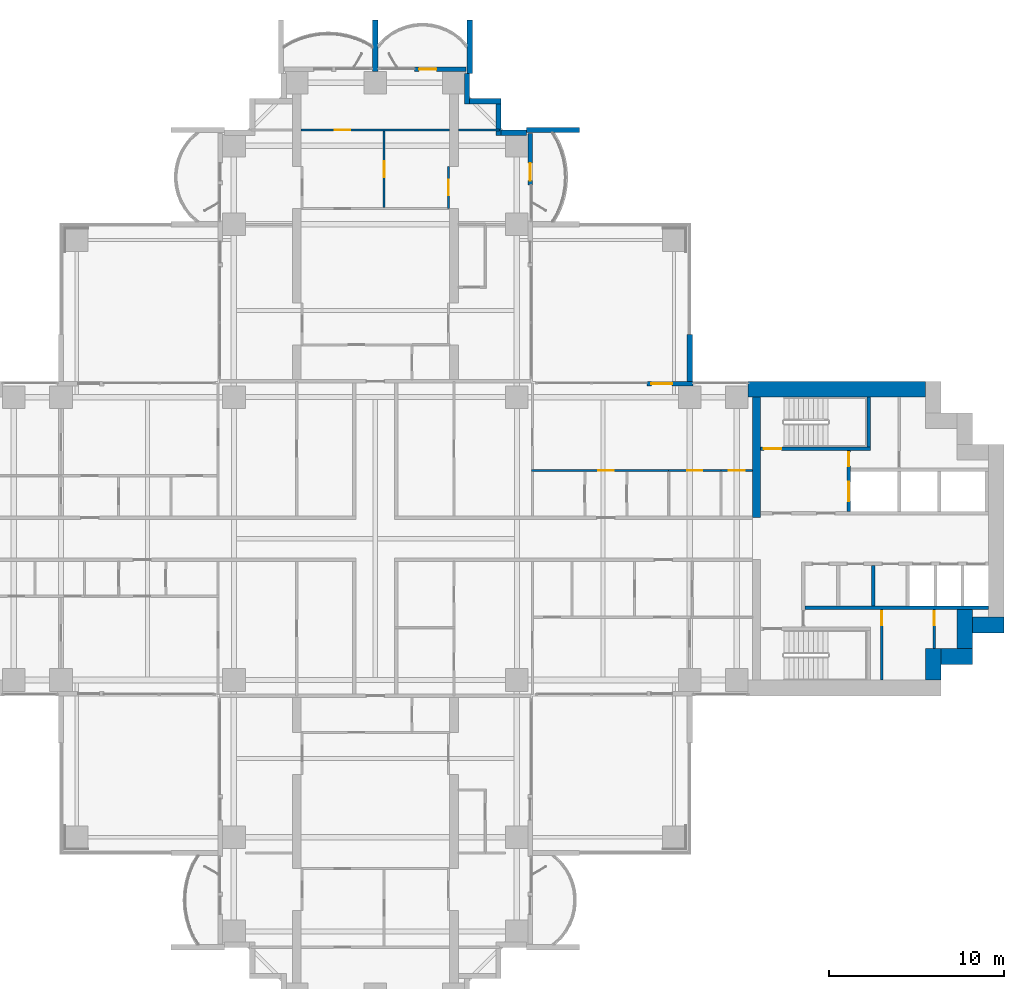
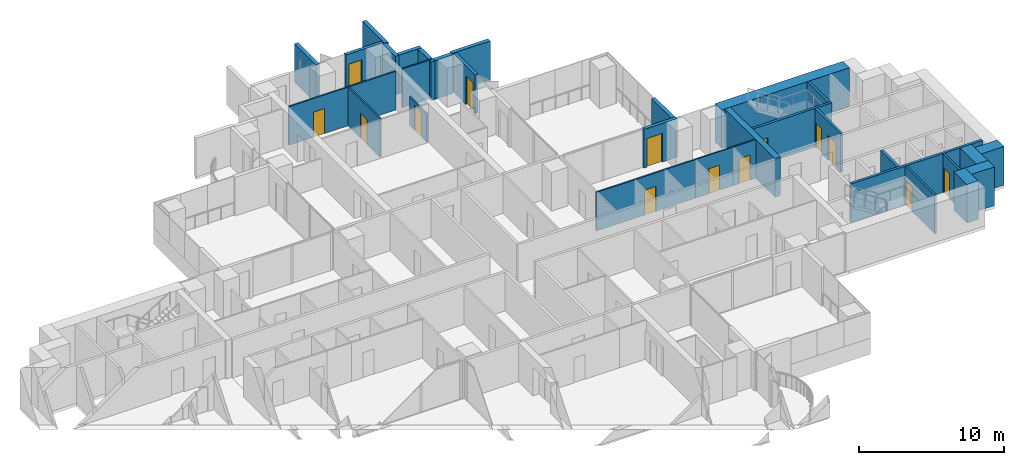
# One storey, part 15 of 20: 31 walls, 14 doors, 14 openings.
"""IFC4 building model written with IfcOpenShell, lengths in metres."""

from ifc_helpers import new_model, si_unit, direction, frame, frame_2d, origin, place, context, subcontext, project, spatial, rectangle, extrude, material, layer, layer_set, type_object, element, fill, save


model = new_model("IFC4")

# Units and contexts
model_context = context("Model", 3, precision=1e-05, world=origin(), true_north=direction((0.0, 1.0)))
body_context = subcontext(model_context, "Body", "Model", "MODEL_VIEW")
ifc_project = project(units=[si_unit("LENGTHUNIT", "METRE"), si_unit("AREAUNIT", "SQUARE_METRE"), si_unit("VOLUMEUNIT", "CUBIC_METRE"), si_unit("PLANEANGLEUNIT", "RADIAN"), si_unit("MASSUNIT", "GRAM", prefix="KILO")], contexts=[model_context])

# Site, building, storey
site_placement = place(None, origin())
site = spatial("IfcSite", under=ifc_project, at=site_placement, CompositionType="ELEMENT")
building_placement = place(site_placement, origin())
building = spatial("IfcBuilding", under=site, at=building_placement, Name="Perihelion Cross Residences", CompositionType="ELEMENT")
storey_placement = place(building_placement, frame((0.0, 0.0, 82.0)))
storey = spatial("IfcBuildingStorey", under=building, at=storey_placement, Name="L18", CompositionType="ELEMENT", Elevation=82.0)

# Wall, opening, door
ifc_material_1 = material(Name="Concrete C30/37, bronze-clad", Category="concrete")
ifc_layer_1 = layer(ifc_material_1, 0.25)
ifc_layer_set_1 = layer_set([ifc_layer_1], Name="Bronze-clad pier wall 250")
wall_type_1 = type_object("IfcWallType", Name="Bronze-clad pier wall 250", PredefinedType="SOLIDWALL", material=ifc_layer_set_1)
wall_1_placement = place(storey_placement, frame((18.199951171875, 8.875, 0.0), z_axis=(0.0, 0.0, 1.0), x_axis=(-1.0, 0.0, 0.0)))
wall_1 = element("IfcWall", 1, at=wall_1_placement, inside=storey, type_object=wall_type_1, Name="Wall FW1 L18 east side north bay 2 pier", PredefinedType="SOLIDWALL", context=body_context, shape_type="SweptSolid", body=[
    extrude(rectangle(XDim=2.64990234375, YDim=0.25, at=frame_2d((1.324951171875, 0.0))), origin(), (0.0, 0.0, 1.0), 3.25),
])
opening_1_placement = place(wall_1_placement, frame((1.199951171875, 0.0, 0.0)))
opening_1 = element("IfcOpeningElement", 2, at=opening_1_placement, cuts=wall_1, Name="Opening L18.E01", PredefinedType="OPENING", context=body_context, shape_type="SweptSolid", body=[
    extrude(rectangle(XDim=1.199951171875, YDim=2.39990234375, at=frame_2d((0.60009765625, 1.199951171875))), frame((0.0, 0.135009765625, 0.0), z_axis=(0.0, -1.0, 0.0), x_axis=(1.0, 0.0, 0.0)), (0.0, 0.0, 1.0), 0.27001953125),
])
ifc_material_2 = material(Name="Bronze anodised aluminium, glazed", Category="aluminium")
door_type_1 = type_object("IfcDoorType", Name="Balcony door 1200 x 2400", OperationType="NOTDEFINED", PredefinedType="DOOR", material=ifc_material_2)
door_1_placement = place(opening_1_placement, origin())
door_1 = element("IfcDoor", 3, at=door_1_placement, inside=storey, type_object=door_type_1, Name="Door L18.E01 east side north bay 2", OperationType="SINGLE_SWING_RIGHT", OverallHeight=2.39990234375, OverallWidth=1.199951171875, PredefinedType="DOOR", context=body_context, shape_type="SweptSolid", body=[
    extrude(rectangle(XDim=1.199951171875, YDim=2.39990234375, at=frame_2d((0.60009765625, 1.199951171875))), frame((0.0, 0.02490234375, 0.0), z_axis=(0.0, -1.0, 0.0), x_axis=(1.0, 0.0, 0.0)), (0.0, 0.0, 1.0), 0.050048828125),
])
fill(opening_1, door_1)

wall_2_placement = place(storey_placement, frame((8.875, 20.25, 0.0), z_axis=(0.0, 0.0, 1.0), x_axis=(0.0, 1.0, 0.0)))
wall_2 = element("IfcWall", 4, at=wall_2_placement, inside=storey, type_object=wall_type_1, Name="Wall FW1 L18 north side east bay 2 pier", PredefinedType="SOLIDWALL", context=body_context, shape_type="SweptSolid", body=[
    extrude(rectangle(XDim=2.949951171875, YDim=0.25, at=frame_2d((1.47509765625, 0.0))), origin(), (0.0, 0.0, 1.0), 3.25),
])
opening_2_placement = place(wall_2_placement, frame((0.25, 0.0, 0.0)))
opening_2 = element("IfcOpeningElement", 5, at=opening_2_placement, cuts=wall_2, Name="Opening L18.E03", PredefinedType="OPENING", context=body_context, shape_type="SweptSolid", body=[
    extrude(rectangle(XDim=1.0, YDim=2.39990234375, at=frame_2d((0.5, 1.199951171875))), frame((0.0, 0.135009765625, 0.0), z_axis=(0.0, -1.0, 0.0), x_axis=(1.0, 0.0, 0.0)), (0.0, 0.0, 1.0), 0.27001953125),
])
ifc_material_3 = material(Name="Bronze anodised aluminium, glazed", Category="aluminium")
door_type_2 = type_object("IfcDoorType", Name="Balcony door 1000 x 2400", OperationType="NOTDEFINED", PredefinedType="DOOR", material=ifc_material_3)
door_2_placement = place(opening_2_placement, origin())
door_2 = element("IfcDoor", 6, at=door_2_placement, inside=storey, type_object=door_type_2, Name="Door L18.E03 north side east bay 2", OperationType="SINGLE_SWING_RIGHT", OverallHeight=2.39990234375, OverallWidth=1.0, PredefinedType="DOOR", context=body_context, shape_type="SweptSolid", body=[
    extrude(rectangle(XDim=1.0, YDim=2.39990234375, at=frame_2d((0.5, 1.199951171875))), frame((0.0, 0.02490234375, 0.0), z_axis=(0.0, -1.0, 0.0), x_axis=(1.0, 0.0, 0.0)), (0.0, 0.0, 1.0), 0.050048828125),
])
fill(opening_2, door_2)

wall_3_placement = place(storey_placement, frame((5.199951171875, 26.875, 0.0), z_axis=(0.0, 0.0, 1.0), x_axis=(-1.0, 0.0, 0.0)))
wall_3 = element("IfcWall", 7, at=wall_3_placement, inside=storey, type_object=wall_type_1, Name="Wall FW1 L18 north tip north bay 1 pier", PredefinedType="SOLIDWALL", context=body_context, shape_type="SweptSolid", body=[
    extrude(rectangle(XDim=2.949951171875, YDim=0.25, at=frame_2d((1.47509765625, 0.0))), origin(), (0.0, 0.0, 1.0), 3.25),
])
opening_3_placement = place(wall_3_placement, frame((1.699951171875, 0.0, 0.0)))
opening_3 = element("IfcOpeningElement", 8, at=opening_3_placement, cuts=wall_3, Name="Opening L18.E04", PredefinedType="OPENING", context=body_context, shape_type="SweptSolid", body=[
    extrude(rectangle(XDim=1.0, YDim=2.39990234375, at=frame_2d((0.5, 1.199951171875))), frame((0.0, 0.135009765625, 0.0), z_axis=(0.0, -1.0, 0.0), x_axis=(1.0, 0.0, 0.0)), (0.0, 0.0, 1.0), 0.27001953125),
])
door_3_placement = place(opening_3_placement, origin())
door_3 = element("IfcDoor", 9, at=door_3_placement, inside=storey, type_object=door_type_2, Name="Door L18.E04 north tip north bay 1", OperationType="SINGLE_SWING_LEFT", OverallHeight=2.39990234375, OverallWidth=1.0, PredefinedType="DOOR", context=body_context, shape_type="SweptSolid", body=[
    extrude(rectangle(XDim=1.0, YDim=2.39990234375, at=frame_2d((0.5, 1.199951171875))), frame((0.0, 0.02490234375, 0.0), z_axis=(0.0, -1.0, 0.0), x_axis=(1.0, 0.0, 0.0)), (0.0, 0.0, 1.0), 0.050048828125),
])
fill(opening_3, door_3)

# Walls
ifc_material_4 = material(Name="Concrete C30/37, bronze-clad", Category="concrete")
ifc_layer_2 = layer(ifc_material_4, 0.300048828125)
ifc_layer_set_2 = layer_set([ifc_layer_2], Name="Bronze-clad serration wall 300")
wall_type_2 = type_object("IfcWallType", Name="Bronze-clad serration wall 300", PredefinedType="SOLIDWALL", material=ifc_layer_set_2)
wall_4_placement = place(storey_placement, frame((8.64990234375, 23.25, 0.0), z_axis=(0.0, 0.0, 1.0), x_axis=(-1.0, 0.0, 0.0)))
element("IfcWall", 10, at=wall_4_placement, inside=storey, type_object=wall_type_2, Name="Wall SR1 L18 north corner north-east 1", PredefinedType="SOLIDWALL", context=body_context, shape_type="SweptSolid", body=[
    extrude(rectangle(XDim=1.449951171875, YDim=0.300048828125, at=frame_2d((0.72509765625, 0.0))), origin(), (0.0, 0.0, 1.0), 3.25),
])
wall_5_placement = place(storey_placement, frame((7.050048828125, 23.10009765625, 0.0), z_axis=(0.0, 0.0, 1.0), x_axis=(0.0, 1.0, 0.0)))
element("IfcWall", 11, at=wall_5_placement, inside=storey, type_object=wall_type_2, Name="Wall SR1 L18 north corner north-east 2", PredefinedType="SOLIDWALL", context=body_context, shape_type="SweptSolid", body=[
    extrude(rectangle(XDim=1.7998046875, YDim=0.300048828125, at=frame_2d((0.89990234375, 0.0))), origin(), (0.0, 0.0, 1.0), 3.25),
])
wall_6_placement = place(storey_placement, frame((7.199951171875, 25.050048828125, 0.0), z_axis=(0.0, 0.0, 1.0), x_axis=(-1.0, 0.0, 0.0)))
element("IfcWall", 12, at=wall_6_placement, inside=storey, type_object=wall_type_2, Name="Wall SR1 L18 north corner north-east 3", PredefinedType="SOLIDWALL", context=body_context, shape_type="SweptSolid", body=[
    extrude(rectangle(XDim=1.800048828125, YDim=0.300048828125, at=frame_2d((0.89990234375, 0.0))), origin(), (0.0, 0.0, 1.0), 3.25),
])
wall_7_placement = place(storey_placement, frame((5.25, 24.89990234375, 0.0), z_axis=(0.0, 0.0, 1.0), x_axis=(0.0, 1.0, 0.0)))
element("IfcWall", 13, at=wall_7_placement, inside=storey, type_object=wall_type_2, Name="Wall SR1 L18 north corner north-east 4", PredefinedType="SOLIDWALL", context=body_context, shape_type="SweptSolid", body=[
    extrude(rectangle(XDim=1.75, YDim=0.300048828125, at=frame_2d((0.875, 0.0))), origin(), (0.0, 0.0, 1.0), 3.25),
])
ifc_material_5 = material(Name="Concrete C60/75", Category="concrete")
ifc_layer_3 = layer(ifc_material_5, 0.449951171875)
ifc_layer_set_3 = layer_set([ifc_layer_3], Name="Core wall, inner 450")
wall_type_3 = type_object("IfcWallType", Name="Core wall, inner 450", PredefinedType="SHEAR", material=ifc_layer_set_3)
wall_8_placement = place(storey_placement, frame((21.824951171875, 1.199951171875, 0.0), z_axis=(0.0, 0.0, 1.0), x_axis=(0.0, 1.0, 0.0)))
element("IfcWall", 14, at=wall_8_placement, inside=storey, type_object=wall_type_3, Name="East core core wall, inner", PredefinedType="SHEAR", context=body_context, shape_type="SweptSolid", body=[
    extrude(rectangle(XDim=6.900146484375, YDim=0.449951171875, at=frame_2d((3.4501953125, 0.0))), origin(), (0.0, 0.0, 1.0), 3.25),
])
ifc_material_6 = material(Name="Concrete C60/75", Category="concrete")
ifc_layer_4 = layer(ifc_material_6, 0.89990234375)
ifc_layer_set_4 = layer_set([ifc_layer_4], Name="Core wall, outer 900")
wall_type_4 = type_object("IfcWallType", Name="Core wall, outer 900", PredefinedType="SHEAR", material=ifc_layer_set_4)
for number, where, z_axis, x_axis, name in (
    (15, (31.949951171875, -8.10009765625, 0.0), (0.0, 0.0, 1.0), (0.0, 1.0, 0.0), "East core core wall, outer"),
    (16, (32.39990234375, -6.75, 0.0), (0.0, 0.0, 1.0), (1.0, 0.0, 0.0), "East core core wall, outer"),
):
    element("IfcWall", number, at=place(storey_placement, frame(where, z_axis=z_axis, x_axis=x_axis)), inside=storey, type_object=wall_type_4, Name=name, PredefinedType="SHEAR", context=body_context, shape_type="SweptSolid", body=[
        extrude(rectangle(XDim=1.800048828125, YDim=0.89990234375, at=frame_2d((0.89990234375, 0.0))), origin(), (0.0, 0.0, 1.0), 3.25),
    ])
wall_9_placement = place(storey_placement, frame((33.75, -6.300048828125, 0.0), z_axis=(0.0, 0.0, 1.0), x_axis=(0.0, 1.0, 0.0)))
element("IfcWall", 17, at=wall_9_placement, inside=storey, type_object=wall_type_4, Name="East core core wall, outer", PredefinedType="SHEAR", context=body_context, shape_type="SweptSolid", body=[
    extrude(rectangle(XDim=2.25, YDim=0.89990234375, at=frame_2d((1.125, 0.0))), origin(), (0.0, 0.0, 1.0), 3.25),
])
wall_10_placement = place(storey_placement, frame((34.199951171875, -4.949951171875, 0.0), z_axis=(0.0, 0.0, 1.0), x_axis=(1.0, 0.0, 0.0)))
element("IfcWall", 18, at=wall_10_placement, inside=storey, type_object=wall_type_4, Name="East core core wall, outer", PredefinedType="SHEAR", context=body_context, shape_type="SweptSolid", body=[
    extrude(rectangle(XDim=1.800048828125, YDim=0.89990234375, at=frame_2d((0.89990234375, 0.0))), origin(), (0.0, 0.0, 1.0), 3.25),
])
wall_11_placement = place(storey_placement, frame((21.35009765625, 8.550048828125, 0.0), z_axis=(0.0, 0.0, 1.0), x_axis=(1.0, 0.0, 0.0)))
element("IfcWall", 19, at=wall_11_placement, inside=storey, type_object=wall_type_4, Name="East core core wall, outer", PredefinedType="SHEAR", context=body_context, shape_type="SweptSolid", body=[
    extrude(rectangle(XDim=10.14990234375, YDim=0.89990234375, at=frame_2d((5.074951171875, 0.0))), origin(), (0.0, 0.0, 1.0), 3.25),
])

# Wall, opening, door
ifc_material_7 = material(Name="Plasterboard partition")
ifc_layer_5 = layer(ifc_material_7, 0.1201171875)
ifc_layer_set_5 = layer_set([ifc_layer_5], Name="Infill panel 120")
wall_type_5 = type_object("IfcWallType", Name="Infill panel 120", PredefinedType="PARTITIONING", material=ifc_layer_set_5)
wall_12_placement = place(storey_placement, frame((4.18994140625, 18.89990234375, 0.0), z_axis=(0.0, 0.0, 1.0), x_axis=(0.0, 1.0, 0.0)))
wall_12 = element("IfcWall", 20, at=wall_12_placement, inside=storey, type_object=wall_type_5, Name="Partition L18 WI02", PredefinedType="PARTITIONING", context=body_context, shape_type="SweptSolid", body=[
    extrude(rectangle(XDim=2.400146484375, YDim=0.1201171875, at=frame_2d((1.2001953125, 0.0))), origin(), (0.0, 0.0, 1.0), 2.39990234375),
])
opening_4_placement = place(wall_12_placement, frame((0.75, 0.0, 0.0)))
opening_4 = element("IfcOpeningElement", 21, at=opening_4_placement, cuts=wall_12, Name="Opening L18.A50", PredefinedType="OPENING", context=body_context, shape_type="SweptSolid", body=[
    extrude(rectangle(XDim=0.89990234375, YDim=2.10009765625, at=frame_2d((0.449951171875, 1.050048828125))), frame((0.0, 0.070068359375, 0.0), z_axis=(0.0, -1.0, 0.0), x_axis=(1.0, 0.0, 0.0)), (0.0, 0.0, 1.0), 0.14013671875),
])
ifc_material_8 = material(Name="Timber door leaf", Category="wood")
door_type_3 = type_object("IfcDoorType", Name="Interior room door 900 x 2100", OperationType="SINGLE_SWING_LEFT", PredefinedType="DOOR", material=ifc_material_8)
door_4_placement = place(opening_4_placement, origin())
door_4 = element("IfcDoor", 22, at=door_4_placement, inside=storey, type_object=door_type_3, Name="Door L18.A50", OperationType="SINGLE_SWING_RIGHT", OverallHeight=2.10009765625, OverallWidth=0.89990234375, PredefinedType="DOOR", context=body_context, shape_type="SweptSolid", body=[
    extrude(rectangle(XDim=0.89990234375, YDim=2.10009765625, at=frame_2d((0.449951171875, 1.050048828125))), frame((0.0, 0.02490234375, 0.0), z_axis=(0.0, -1.0, 0.0), x_axis=(1.0, 0.0, 0.0)), (0.0, 0.0, 1.0), 0.050048828125),
])
fill(opening_4, door_4)

ifc_material_9 = material(Name="Plasterboard partition")
ifc_layer_6 = layer(ifc_material_9, 0.1201171875)
ifc_layer_set_6 = layer_set([ifc_layer_6], Name="Partition wall 120")
wall_type_6 = type_object("IfcWallType", Name="Partition wall 120", PredefinedType="PARTITIONING", material=ifc_layer_set_6)
wall_13_placement = place(storey_placement, frame((8.93994140625, 3.89990234375, 0.0), z_axis=(0.0, 0.0, 1.0), x_axis=(1.0, 0.0, 0.0)))
wall_13 = element("IfcWall", 23, at=wall_13_placement, inside=storey, type_object=wall_type_6, Name="Partition L18 W012", PredefinedType="PARTITIONING", context=body_context, shape_type="SweptSolid", body=[
    extrude(rectangle(XDim=7.860107421875, YDim=0.1201171875, at=frame_2d((3.93017578125, 0.0))), origin(), (0.0, 0.0, 1.0), 3.25),
])
opening_5_placement = place(wall_13_placement, frame((3.81005859375, 0.0, 0.0)))
opening_5 = element("IfcOpeningElement", 24, at=opening_5_placement, cuts=wall_13, Name="Opening L18.A05", PredefinedType="OPENING", context=body_context, shape_type="SweptSolid", body=[
    extrude(rectangle(XDim=0.89990234375, YDim=2.10009765625, at=frame_2d((0.449951171875, 1.050048828125))), frame((0.0, 0.070068359375, 0.0), z_axis=(0.0, -1.0, 0.0), x_axis=(1.0, 0.0, 0.0)), (0.0, 0.0, 1.0), 0.14013671875),
])
door_5_placement = place(opening_5_placement, origin())
door_5 = element("IfcDoor", 25, at=door_5_placement, inside=storey, type_object=door_type_3, Name="Door L18.A05", OperationType="SINGLE_SWING_RIGHT", OverallHeight=2.10009765625, OverallWidth=0.89990234375, PredefinedType="DOOR", context=body_context, shape_type="SweptSolid", body=[
    extrude(rectangle(XDim=0.89990234375, YDim=2.10009765625, at=frame_2d((0.449951171875, 1.050048828125))), frame((0.0, 0.02490234375, 0.0), z_axis=(0.0, -1.0, 0.0), x_axis=(1.0, 0.0, 0.0)), (0.0, 0.0, 1.0), 0.050048828125),
])
fill(opening_5, door_5)

wall_14_placement = place(storey_placement, frame((19.800048828125, 3.89990234375, 0.0), z_axis=(0.0, 0.0, 1.0), x_axis=(1.0, 0.0, 0.0)))
wall_14 = element("IfcWall", 26, at=wall_14_placement, inside=storey, type_object=wall_type_6, Name="Partition L18 W018", PredefinedType="PARTITIONING", context=body_context, shape_type="SweptSolid", body=[
    extrude(rectangle(XDim=1.800048828125, YDim=0.1201171875, at=frame_2d((0.89990234375, 0.0))), origin(), (0.0, 0.0, 1.0), 3.25),
])
opening_6_placement = place(wall_14_placement, frame((0.449951171875, 0.0, 0.0)))
opening_6 = element("IfcOpeningElement", 27, at=opening_6_placement, cuts=wall_14, Name="Opening L18.A04", PredefinedType="OPENING", context=body_context, shape_type="SweptSolid", body=[
    extrude(rectangle(XDim=0.89990234375, YDim=2.10009765625, at=frame_2d((0.449951171875, 1.050048828125))), frame((0.0, 0.070068359375, 0.0), z_axis=(0.0, -1.0, 0.0), x_axis=(1.0, 0.0, 0.0)), (0.0, 0.0, 1.0), 0.14013671875),
])
door_6_placement = place(opening_6_placement, origin())
door_6 = element("IfcDoor", 28, at=door_6_placement, inside=storey, type_object=door_type_3, Name="Door L18.A04", OperationType="SINGLE_SWING_LEFT", OverallHeight=2.10009765625, OverallWidth=0.89990234375, PredefinedType="DOOR", context=body_context, shape_type="SweptSolid", body=[
    extrude(rectangle(XDim=0.89990234375, YDim=2.10009765625, at=frame_2d((0.449951171875, 1.050048828125))), frame((0.0, 0.02490234375, 0.0), z_axis=(0.0, -1.0, 0.0), x_axis=(1.0, 0.0, 0.0)), (0.0, 0.0, 1.0), 0.050048828125),
])
fill(opening_6, door_6)

wall_15_placement = place(storey_placement, frame((0.5, 23.340087890625, 0.0), z_axis=(0.0, 0.0, 1.0), x_axis=(0.0, -1.0, 0.0)))
wall_15 = element("IfcWall", 29, at=wall_15_placement, inside=storey, type_object=wall_type_6, Name="Partition L18 W052", PredefinedType="PARTITIONING", context=body_context, shape_type="SweptSolid", body=[
    extrude(rectangle(XDim=4.380126953125, YDim=0.1201171875, at=frame_2d((2.18994140625, 0.0))), origin(), (0.0, 0.0, 1.0), 3.25),
])
opening_7_placement = place(wall_15_placement, frame((1.739990234375, 0.0, 0.0)))
opening_7 = element("IfcOpeningElement", 30, at=opening_7_placement, cuts=wall_15, Name="Opening L18.A35", PredefinedType="OPENING", context=body_context, shape_type="SweptSolid", body=[
    extrude(rectangle(XDim=0.89990234375, YDim=2.10009765625, at=frame_2d((0.449951171875, 1.050048828125))), frame((0.0, 0.070068359375, 0.0), z_axis=(0.0, -1.0, 0.0), x_axis=(1.0, 0.0, 0.0)), (0.0, 0.0, 1.0), 0.14013671875),
])
door_7_placement = place(opening_7_placement, origin())
door_7 = element("IfcDoor", 31, at=door_7_placement, inside=storey, type_object=door_type_3, Name="Door L18.A35", OperationType="SINGLE_SWING_RIGHT", OverallHeight=2.10009765625, OverallWidth=0.89990234375, PredefinedType="DOOR", context=body_context, shape_type="SweptSolid", body=[
    extrude(rectangle(XDim=0.89990234375, YDim=2.10009765625, at=frame_2d((0.449951171875, 1.050048828125))), frame((0.0, 0.02490234375, 0.0), z_axis=(0.0, -1.0, 0.0), x_axis=(1.0, 0.0, 0.0)), (0.0, 0.0, 1.0), 0.050048828125),
])
fill(opening_7, door_7)

wall_16_placement = place(storey_placement, frame((-4.25, 23.39990234375, 0.0), z_axis=(0.0, 0.0, 1.0), x_axis=(1.0, 0.0, 0.0)))
wall_16 = element("IfcWall", 32, at=wall_16_placement, inside=storey, type_object=wall_type_6, Name="Partition L18 W053", PredefinedType="PARTITIONING", context=body_context, shape_type="SweptSolid", body=[
    extrude(rectangle(XDim=8.5, YDim=0.1201171875, at=frame_2d((4.25, 0.0))), origin(), (0.0, 0.0, 1.0), 3.25),
])
opening_8_placement = place(wall_16_placement, frame((1.925048828125, 0.0, 0.0)))
opening_8 = element("IfcOpeningElement", 33, at=opening_8_placement, cuts=wall_16, Name="Opening L18.A36", PredefinedType="OPENING", context=body_context, shape_type="SweptSolid", body=[
    extrude(rectangle(XDim=0.89990234375, YDim=2.10009765625, at=frame_2d((0.449951171875, 1.050048828125))), frame((0.0, 0.070068359375, 0.0), z_axis=(0.0, -1.0, 0.0), x_axis=(1.0, 0.0, 0.0)), (0.0, 0.0, 1.0), 0.14013671875),
])
door_8_placement = place(opening_8_placement, origin())
door_8 = element("IfcDoor", 34, at=door_8_placement, inside=storey, type_object=door_type_3, Name="Door L18.A36", OperationType="SINGLE_SWING_RIGHT", OverallHeight=2.10009765625, OverallWidth=0.89990234375, PredefinedType="DOOR", context=body_context, shape_type="SweptSolid", body=[
    extrude(rectangle(XDim=0.89990234375, YDim=2.10009765625, at=frame_2d((0.449951171875, 1.050048828125))), frame((0.0, 0.02490234375, 0.0), z_axis=(0.0, -1.0, 0.0), x_axis=(1.0, 0.0, 0.0)), (0.0, 0.0, 1.0), 0.050048828125),
])
fill(opening_8, door_8)

# Walls
wall_17_placement = place(storey_placement, frame((4.75, 23.39990234375, 0.0), z_axis=(0.0, 0.0, 1.0), x_axis=(1.0, 0.0, 0.0)))
element("IfcWall", 35, at=wall_17_placement, inside=storey, type_object=wall_type_6, Name="Partition L18 W058", PredefinedType="PARTITIONING", context=body_context, shape_type="SweptSolid", body=[
    extrude(rectangle(XDim=2.3701171875, YDim=0.1201171875, at=frame_2d((1.18505859375, 0.0))), origin(), (0.0, 0.0, 1.0), 3.25),
])
ifc_material_10 = material(Name="Precast concrete C50/60", Category="concrete")
ifc_layer_7 = layer(ifc_material_10, 0.300048828125)
ifc_layer_set_7 = layer_set([ifc_layer_7], Name="Precast concrete C50/60 blade wall 300")
wall_type_7 = type_object("IfcWallType", Name="Precast concrete C50/60 blade wall 300", PredefinedType="SOLIDWALL", material=ifc_layer_set_7)
wall_18_placement = place(storey_placement, frame((0.0, 26.75, 0.0), z_axis=(0.0, 0.0, 1.0), x_axis=(0.0, 1.0, 0.0)))
element("IfcWall", 36, at=wall_18_placement, inside=storey, type_object=wall_type_7, Name="Wall BL1 L18 no. 10", PredefinedType="SOLIDWALL", context=body_context, shape_type="SweptSolid", body=[
    extrude(rectangle(XDim=2.949951171875, YDim=0.300048828125, at=frame_2d((1.47509765625, 0.0))), origin(), (0.0, 0.0, 1.0), 3.25),
])
for number, where, z_axis, x_axis, name in (
    (37, (5.39990234375, 26.64990234375, 0.0), (0.0, 0.0, 1.0), (0.0, 1.0, 0.0), "Wall BL1 L18 no. 14"),
    (38, (8.64990234375, 23.39990234375, 0.0), (0.0, 0.0, 1.0), (1.0, 0.0, 0.0), "Wall BL1 L18 no. 18"),
):
    element("IfcWall", number, at=place(storey_placement, frame(where, z_axis=z_axis, x_axis=x_axis)), inside=storey, type_object=wall_type_7, Name=name, PredefinedType="SOLIDWALL", context=body_context, shape_type="SweptSolid", body=[
        extrude(rectangle(XDim=3.050048828125, YDim=0.300048828125, at=frame_2d((1.52490234375, 0.0))), origin(), (0.0, 0.0, 1.0), 3.25),
    ])
wall_19_placement = place(storey_placement, frame((18.0, 8.75, 0.0), z_axis=(0.0, 0.0, 1.0), x_axis=(0.0, 1.0, 0.0)))
element("IfcWall", 39, at=wall_19_placement, inside=storey, type_object=wall_type_7, Name="Wall BL1 L18 no. 12", PredefinedType="SOLIDWALL", context=body_context, shape_type="SweptSolid", body=[
    extrude(rectangle(XDim=2.949951171875, YDim=0.300048828125, at=frame_2d((1.47509765625, 0.0))), origin(), (0.0, 0.0, 1.0), 3.25),
])

# Wall, opening, door
ifc_material_11 = material(Name="Fire-rated board on steel stud", Category="steel")
ifc_layer_8 = layer(ifc_material_11, 0.14990234375)
ifc_layer_set_8 = layer_set([ifc_layer_8], Name="Riser wall 150")
wall_type_8 = type_object("IfcWallType", Name="Riser wall 150", PredefinedType="PARTITIONING", material=ifc_layer_set_8)
wall_20_placement = place(storey_placement, frame((29.0, -8.10009765625, 0.0), z_axis=(0.0, 0.0, 1.0), x_axis=(0.0, 1.0, 0.0)))
wall_20 = element("IfcWall", 40, at=wall_20_placement, inside=storey, type_object=wall_type_8, Name="East core riser wall", PredefinedType="PARTITIONING", context=body_context, shape_type="SweptSolid", body=[
    extrude(rectangle(XDim=4.050048828125, YDim=0.14990234375, at=frame_2d((2.02490234375, 0.0))), origin(), (0.0, 0.0, 1.0), 3.25),
])
opening_9_placement = place(wall_20_placement, frame((3.14990234375, 0.0, 0.0)))
opening_9 = element("IfcOpeningElement", 41, at=opening_9_placement, cuts=wall_20, Name="Opening L18.C13", PredefinedType="OPENING", context=body_context, shape_type="SweptSolid", body=[
    extrude(rectangle(XDim=0.800048828125, YDim=2.10009765625, at=frame_2d((0.39990234375, 1.050048828125))), frame((0.0, 0.0849609375, 0.0), z_axis=(0.0, -1.0, 0.0), x_axis=(1.0, 0.0, 0.0)), (0.0, 0.0, 1.0), 0.169921875),
])
ifc_material_12 = material(Name="Steel, powder coated", Category="steel")
door_type_4 = type_object("IfcDoorType", Name="Riser door 800", OperationType="SINGLE_SWING_LEFT", PredefinedType="DOOR", material=ifc_material_12)
door_9_placement = place(opening_9_placement, origin())
door_9 = element("IfcDoor", 42, at=door_9_placement, inside=storey, type_object=door_type_4, Name="East core riser door", OperationType="SINGLE_SWING_LEFT", OverallHeight=2.10009765625, OverallWidth=0.800048828125, PredefinedType="DOOR", context=body_context, shape_type="SweptSolid", body=[
    extrude(rectangle(XDim=0.800048828125, YDim=2.10009765625, at=frame_2d((0.39990234375, 1.050048828125))), frame((0.0, 0.02490234375, 0.0), z_axis=(0.0, -1.0, 0.0), x_axis=(1.0, 0.0, 0.0)), (0.0, 0.0, 1.0), 0.050048828125),
])
fill(opening_9, door_9)

wall_21_placement = place(storey_placement, frame((32.0, -6.300048828125, 0.0), z_axis=(0.0, 0.0, 1.0), x_axis=(0.0, 1.0, 0.0)))
wall_21 = element("IfcWall", 43, at=wall_21_placement, inside=storey, type_object=wall_type_8, Name="East core riser wall", PredefinedType="PARTITIONING", context=body_context, shape_type="SweptSolid", body=[
    extrude(rectangle(XDim=2.25, YDim=0.14990234375, at=frame_2d((1.125, 0.0))), origin(), (0.0, 0.0, 1.0), 3.25),
])
opening_10_placement = place(wall_21_placement, frame((1.35009765625, 0.0, 0.0)))
opening_10 = element("IfcOpeningElement", 44, at=opening_10_placement, cuts=wall_21, Name="Opening L18.C16", PredefinedType="OPENING", context=body_context, shape_type="SweptSolid", body=[
    extrude(rectangle(XDim=0.800048828125, YDim=2.10009765625, at=frame_2d((0.39990234375, 1.050048828125))), frame((0.0, 0.0849609375, 0.0), z_axis=(0.0, -1.0, 0.0), x_axis=(1.0, 0.0, 0.0)), (0.0, 0.0, 1.0), 0.169921875),
])
door_10_placement = place(opening_10_placement, origin())
door_10 = element("IfcDoor", 45, at=door_10_placement, inside=storey, type_object=door_type_4, Name="East core riser door", OperationType="SINGLE_SWING_LEFT", OverallHeight=2.10009765625, OverallWidth=0.800048828125, PredefinedType="DOOR", context=body_context, shape_type="SweptSolid", body=[
    extrude(rectangle(XDim=0.800048828125, YDim=2.10009765625, at=frame_2d((0.39990234375, 1.050048828125))), frame((0.0, 0.02490234375, 0.0), z_axis=(0.0, -1.0, 0.0), x_axis=(1.0, 0.0, 0.0)), (0.0, 0.0, 1.0), 0.050048828125),
])
fill(opening_10, door_10)

# Walls
ifc_material_13 = material(Name="Fire-rated board on steel stud", Category="steel")
ifc_layer_9 = layer(ifc_material_13, 0.199951171875)
ifc_layer_set_9 = layer_set([ifc_layer_9], Name="Riser wall 200")
wall_type_9 = type_object("IfcWallType", Name="Riser wall 200", PredefinedType="PARTITIONING", material=ifc_layer_set_9)
wall_22_placement = place(storey_placement, frame((28.5, -3.85009765625, 0.0), z_axis=(0.0, 0.0, 1.0), x_axis=(0.0, 1.0, 0.0)))
element("IfcWall", 46, at=wall_22_placement, inside=storey, type_object=wall_type_9, Name="East core riser wall", PredefinedType="PARTITIONING", context=body_context, shape_type="SweptSolid", body=[
    extrude(rectangle(XDim=2.300048828125, YDim=0.199951171875, at=frame_2d((1.14990234375, 0.0))), origin(), (0.0, 0.0, 1.0), 3.25),
])
ifc_material_14 = material(Name="Concrete C50/60", Category="concrete")
ifc_layer_10 = layer(ifc_material_14, 0.199951171875)
ifc_layer_set_10 = layer_set([ifc_layer_10], Name="Shaft wall 200")
wall_type_10 = type_object("IfcWallType", Name="Shaft wall 200", PredefinedType="SOLIDWALL", material=ifc_layer_set_10)
wall_23_placement = place(storey_placement, frame((24.60009765625, -3.949951171875, 0.0), z_axis=(0.0, 0.0, 1.0), x_axis=(1.0, 0.0, 0.0)))
element("IfcWall", 47, at=wall_23_placement, inside=storey, type_object=wall_type_10, Name="East core shaft wall", PredefinedType="SOLIDWALL", context=body_context, shape_type="SweptSolid", body=[
    extrude(rectangle(XDim=10.5, YDim=0.199951171875, at=frame_2d((5.25, 0.0))), origin(), (0.0, 0.0, 1.0), 3.25),
])

# Wall, openings, doors
wall_24_placement = place(storey_placement, frame((27.10009765625, 1.550048828125, 0.0), z_axis=(0.0, 0.0, 1.0), x_axis=(0.0, 1.0, 0.0)))
wall_24 = element("IfcWall", 48, at=wall_24_placement, inside=storey, type_object=wall_type_10, Name="East core shaft wall", PredefinedType="SOLIDWALL", context=body_context, shape_type="SweptSolid", body=[
    extrude(rectangle(XDim=3.5, YDim=0.199951171875, at=frame_2d((1.75, 0.0))), origin(), (0.0, 0.0, 1.0), 3.25),
])
opening_11_placement = place(wall_24_placement, frame((0.60009765625, 0.0, 0.0)))
opening_11 = element("IfcOpeningElement", 49, at=opening_11_placement, cuts=wall_24, Name="Opening L18.C01", PredefinedType="OPENING", context=body_context, shape_type="SweptSolid", body=[
    extrude(rectangle(XDim=1.10009765625, YDim=2.10009765625, at=frame_2d((0.550048828125, 1.050048828125))), frame((0.0, 0.10986328125, 0.0), z_axis=(0.0, -1.0, 0.0), x_axis=(1.0, 0.0, 0.0)), (0.0, 0.0, 1.0), 0.219970703125),
])
opening_12_placement = place(wall_24_placement, frame((2.60009765625, 0.0, 0.0)))
opening_12 = element("IfcOpeningElement", 50, at=opening_12_placement, cuts=wall_24, Name="Opening L18.C11", PredefinedType="OPENING", context=body_context, shape_type="SweptSolid", body=[
    extrude(rectangle(XDim=0.800048828125, YDim=2.10009765625, at=frame_2d((0.39990234375, 1.050048828125))), frame((0.0, 0.10986328125, 0.0), z_axis=(0.0, -1.0, 0.0), x_axis=(1.0, 0.0, 0.0)), (0.0, 0.0, 1.0), 0.219970703125),
])
ifc_material_15 = material(Name="Stainless steel", Category="steel")
door_type_5 = type_object("IfcDoorType", Name="Landing door, firefighting lift 1100", OperationType="DOUBLE_DOOR_SLIDING", PredefinedType="DOOR", material=ifc_material_15)
door_11_placement = place(opening_11_placement, origin())
door_11 = element("IfcDoor", 51, at=door_11_placement, inside=storey, type_object=door_type_5, Name="Landing door, East core firefighting and service lift", OperationType="DOUBLE_DOOR_SLIDING", OverallHeight=2.10009765625, OverallWidth=1.10009765625, PredefinedType="DOOR", context=body_context, shape_type="SweptSolid", body=[
    extrude(rectangle(XDim=1.10009765625, YDim=2.10009765625, at=frame_2d((0.550048828125, 1.050048828125))), frame((0.0, 0.02490234375, 0.0), z_axis=(0.0, -1.0, 0.0), x_axis=(1.0, 0.0, 0.0)), (0.0, 0.0, 1.0), 0.050048828125),
])
fill(opening_11, door_11)
door_12_placement = place(opening_12_placement, origin())
door_12 = element("IfcDoor", 52, at=door_12_placement, inside=storey, type_object=door_type_4, Name="East core riser door", OperationType="SINGLE_SWING_LEFT", OverallHeight=2.10009765625, OverallWidth=0.800048828125, PredefinedType="DOOR", context=body_context, shape_type="SweptSolid", body=[
    extrude(rectangle(XDim=0.800048828125, YDim=2.10009765625, at=frame_2d((0.39990234375, 1.050048828125))), frame((0.0, 0.02490234375, 0.0), z_axis=(0.0, -1.0, 0.0), x_axis=(1.0, 0.0, 0.0)), (0.0, 0.0, 1.0), 0.050048828125),
])
fill(opening_12, door_12)

# Wall, opening, door
ifc_material_16 = material(Name="Concrete C50/60", Category="concrete")
ifc_layer_11 = layer(ifc_material_16, 0.199951171875)
ifc_layer_set_11 = layer_set([ifc_layer_11], Name="Stair wall 200")
wall_type_11 = type_object("IfcWallType", Name="Stair wall 200", PredefinedType="SOLIDWALL", material=ifc_layer_set_11)
wall_25_placement = place(storey_placement, frame((22.050048828125, 5.14990234375, 0.0), z_axis=(0.0, 0.0, 1.0), x_axis=(1.0, 0.0, 0.0)))
wall_25 = element("IfcWall", 53, at=wall_25_placement, inside=storey, type_object=wall_type_11, Name="East core stair wall", PredefinedType="SOLIDWALL", context=body_context, shape_type="SweptSolid", body=[
    extrude(rectangle(XDim=6.300048828125, YDim=0.199951171875, at=frame_2d((3.14990234375, 0.0))), origin(), (0.0, 0.0, 1.0), 3.25),
])
opening_13_placement = place(wall_25_placement, frame((0.199951171875, 0.0, 0.0)))
opening_13 = element("IfcOpeningElement", 54, at=opening_13_placement, cuts=wall_25, Name="Opening L18.C06", PredefinedType="OPENING", context=body_context, shape_type="SweptSolid", body=[
    extrude(rectangle(XDim=1.0, YDim=2.10009765625, at=frame_2d((0.5, 1.050048828125))), frame((0.0, 0.10986328125, 0.0), z_axis=(0.0, -1.0, 0.0), x_axis=(1.0, 0.0, 0.0)), (0.0, 0.0, 1.0), 0.219970703125),
])
ifc_material_17 = material(Name="Steel, powder coated", Category="steel")
door_type_6 = type_object("IfcDoorType", Name="Stair door 1000", OperationType="SINGLE_SWING_LEFT", PredefinedType="DOOR", material=ifc_material_17)
door_13_placement = place(opening_13_placement, origin())
door_13 = element("IfcDoor", 55, at=door_13_placement, inside=storey, type_object=door_type_6, Name="East core stair door", OperationType="SINGLE_SWING_LEFT", OverallHeight=2.10009765625, OverallWidth=1.0, PredefinedType="DOOR", context=body_context, shape_type="SweptSolid", body=[
    extrude(rectangle(XDim=1.0, YDim=2.10009765625, at=frame_2d((0.5, 1.050048828125))), frame((0.0, 0.02490234375, 0.0), z_axis=(0.0, -1.0, 0.0), x_axis=(1.0, 0.0, 0.0)), (0.0, 0.0, 1.0), 0.050048828125),
])
fill(opening_13, door_13)

# Wall
wall_26_placement = place(storey_placement, frame((28.25, 5.25, 0.0), z_axis=(0.0, 0.0, 1.0), x_axis=(0.0, 1.0, 0.0)))
element("IfcWall", 56, at=wall_26_placement, inside=storey, type_object=wall_type_11, Name="East core stair wall", PredefinedType="SOLIDWALL", context=body_context, shape_type="SweptSolid", body=[
    extrude(rectangle(XDim=2.85009765625, YDim=0.199951171875, at=frame_2d((1.425048828125, 0.0))), origin(), (0.0, 0.0, 1.0), 3.25),
])

# Wall, opening, door
ifc_material_18 = material(Name="Plasterboard partition")
ifc_layer_12 = layer(ifc_material_18, 0.10009765625)
ifc_layer_set_12 = layer_set([ifc_layer_12], Name="Wet room wall 100")
wall_type_12 = type_object("IfcWallType", Name="Wet room wall 100", PredefinedType="PARTITIONING", material=ifc_layer_set_12)
wall_27_placement = place(storey_placement, frame((16.800048828125, 3.89990234375, 0.0), z_axis=(0.0, 0.0, 1.0), x_axis=(1.0, 0.0, 0.0)))
wall_27 = element("IfcWall", 57, at=wall_27_placement, inside=storey, type_object=wall_type_12, Name="Partition L18 W017", PredefinedType="PARTITIONING", context=body_context, shape_type="SweptSolid", body=[
    extrude(rectangle(XDim=3.0, YDim=0.10009765625, at=frame_2d((1.5, 0.0))), origin(), (0.0, 0.0, 1.0), 3.25),
])
opening_14_placement = place(wall_27_placement, frame((1.074951171875, 0.0, 0.0)))
opening_14 = element("IfcOpeningElement", 58, at=opening_14_placement, cuts=wall_27, Name="Opening L18.A01", PredefinedType="OPENING", context=body_context, shape_type="SweptSolid", body=[
    extrude(rectangle(XDim=0.85009765625, YDim=2.10009765625, at=frame_2d((0.425048828125, 1.050048828125))), frame((0.0, 0.06005859375, 0.0), z_axis=(0.0, -1.0, 0.0), x_axis=(1.0, 0.0, 0.0)), (0.0, 0.0, 1.0), 0.1201171875),
])
ifc_material_19 = material(Name="Timber door leaf", Category="wood")
door_type_7 = type_object("IfcDoorType", Name="Interior bathroom door 850 x 2100", OperationType="SINGLE_SWING_LEFT", PredefinedType="DOOR", material=ifc_material_19)
door_14_placement = place(opening_14_placement, origin())
door_14 = element("IfcDoor", 59, at=door_14_placement, inside=storey, type_object=door_type_7, Name="Door L18.A01", OperationType="SINGLE_SWING_RIGHT", OverallHeight=2.10009765625, OverallWidth=0.85009765625, PredefinedType="DOOR", context=body_context, shape_type="SweptSolid", body=[
    extrude(rectangle(XDim=0.85009765625, YDim=2.10009765625, at=frame_2d((0.425048828125, 1.050048828125))), frame((0.0, 0.02490234375, 0.0), z_axis=(0.0, -1.0, 0.0), x_axis=(1.0, 0.0, 0.0)), (0.0, 0.0, 1.0), 0.050048828125),
])
fill(opening_14, door_14)

save(model, "model.ifc")
